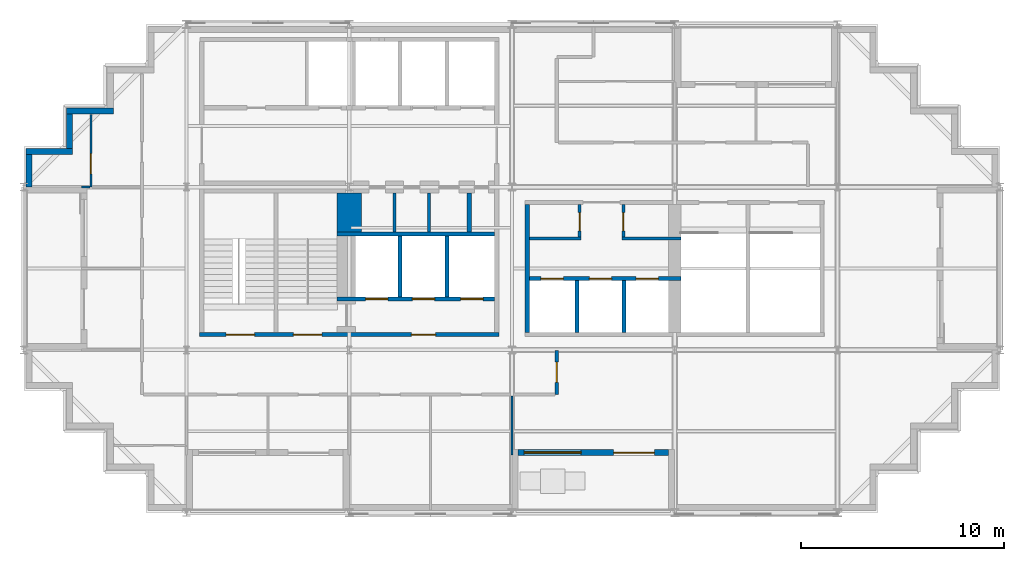
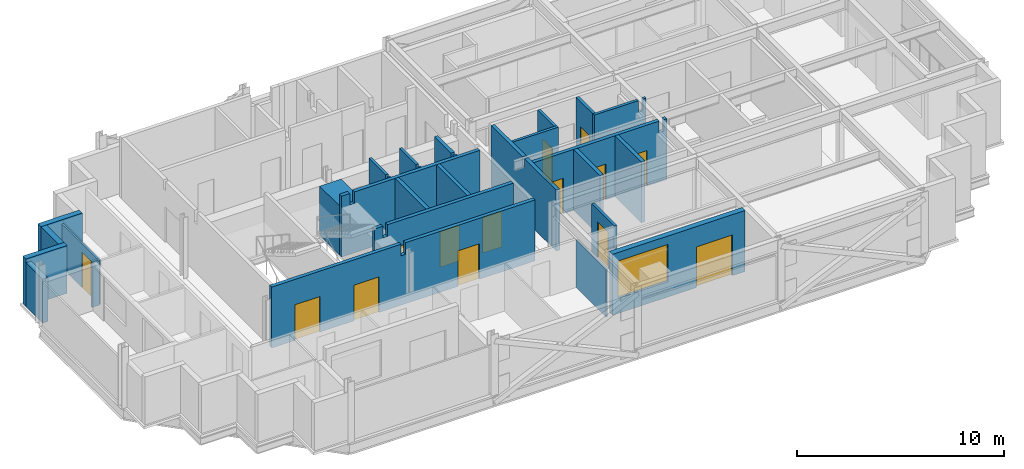
# One storey, part 5 of 10: 26 walls, 14 doors, 1 window, 15 openings.
"""IFC4 building model written with IfcOpenShell, lengths in metres."""

from ifc_helpers import new_model, si_unit, direction, frame, frame_2d, origin, place, context, subcontext, project, spatial, polyline, rectangle, outline, extrude, material, layer, layer_set, type_object, element, fill, save


model = new_model("IFC4")

# Units and contexts
model_context = context("Model", 3, precision=1e-05, world=origin(), true_north=direction((0.0, 1.0)))
body_context = subcontext(model_context, "Body", "Model", "MODEL_VIEW")
ifc_project = project(units=[si_unit("LENGTHUNIT", "METRE"), si_unit("AREAUNIT", "SQUARE_METRE"), si_unit("VOLUMEUNIT", "CUBIC_METRE"), si_unit("PLANEANGLEUNIT", "RADIAN"), si_unit("MASSUNIT", "GRAM", prefix="KILO")], contexts=[model_context])

# Site, building, storey
site_placement = place(None, origin())
site = spatial("IfcSite", under=ifc_project, at=site_placement, CompositionType="ELEMENT")
building_placement = place(site_placement, origin())
building = spatial("IfcBuilding", under=site, at=building_placement, Name="Immortelle Media Tower", CompositionType="ELEMENT")
storey_placement = place(building_placement, frame((0.0, 0.0, 295.0)))
storey = spatial("IfcBuildingStorey", under=building, at=storey_placement, Name="L65", CompositionType="ELEMENT", Elevation=295.0)

# Walls
ifc_material_1 = material(Name="Fire-rated gypsum board", Category="gypsum")
ifc_layer_1 = layer(ifc_material_1, 0.02490234375)
ifc_material_2 = material(Name="Steel ASTM A653 SS Gr 50 stud frame with mineral wool", Category="steel")
ifc_layer_2 = layer(ifc_material_2, 0.10009765625)
ifc_layer_3 = layer(ifc_material_1, 0.02490234375)
ifc_layer_set_1 = layer_set([ifc_layer_1, ifc_layer_2, ifc_layer_3], Name="Steel ASTM A653 SS Gr 50 stud frame with mineral wool")
wall_type_1 = type_object("IfcWallType", Name="Core partition 150", PredefinedType="PARTITIONING", material=ifc_layer_set_1)
for number, where, z_axis, x_axis, name in (
    (1, (18.22509765625, 13.800048828125, 0.0), (0.0, 0.0, 1.0), (0.0, 1.0, 0.0), "Core partition SW"),
    (2, (19.925048828125, 13.800048828125, 0.0), (0.0, 0.0, 1.0), (0.0, 1.0, 0.0), "Core partition SW"),
):
    element("IfcWall", number, at=place(storey_placement, frame(where, z_axis=z_axis, x_axis=x_axis)), inside=storey, type_object=wall_type_1, Name=name, PredefinedType="PARTITIONING", context=body_context, shape_type="SweptSolid", body=[
        extrude(outline(polyline([(0.0, 0.0), (1.89990234375, 0.0), (1.89990234375, 3.60009765625), (0.28857421875, 3.60009765625), (0.28759765625, 3.05810546875), (0.112548828125, 3.05810546875), (0.111572265625, 3.60009765625), (0.0, 3.60009765625), (0.0, 0.0)])), frame((0.0, 0.074951171875, 0.0), z_axis=(0.0, -1.0, 0.0), x_axis=(1.0, 0.0, 0.0)), (0.0, 0.0, 1.0), 0.14990234375),
    ])
wall_1_placement = place(storey_placement, frame((24.85009765625, 13.47509765625, 0.0), z_axis=(0.0, 0.0, 1.0), x_axis=(1.0, 0.0, 0.0)))
element("IfcWall", 3, at=wall_1_placement, inside=storey, type_object=wall_type_1, Name="Core partition SE", PredefinedType="PARTITIONING", context=body_context, shape_type="SweptSolid", body=[
    extrude(rectangle(XDim=2.5498046875, YDim=0.14990234375, at=frame_2d((1.27490234375, 0.0))), origin(), (0.0, 0.0, 1.0), 3.60009765625),
])

# Wall, opening, door
wall_2_placement = place(storey_placement, frame((27.324951171875, 13.550048828125, 0.0), z_axis=(0.0, 0.0, 1.0), x_axis=(0.0, 1.0, 0.0)))
wall_2 = element("IfcWall", 4, at=wall_2_placement, inside=storey, type_object=wall_type_1, Name="Core partition SE", PredefinedType="PARTITIONING", context=body_context, shape_type="SweptSolid", body=[
    extrude(rectangle(XDim=1.599853515625, YDim=0.14990234375, at=frame_2d((0.7998046875, 0.0))), origin(), (0.0, 0.0, 1.0), 3.60009765625),
])
opening_1_placement = place(wall_2_placement, frame((0.300048828125, 0.0, 0.0)))
opening_1 = element("IfcOpeningElement", 5, at=opening_1_placement, cuts=wall_2, Name="Opening X6-K021", PredefinedType="OPENING", context=body_context, shape_type="SweptSolid", body=[
    extrude(rectangle(XDim=0.89990234375, YDim=2.10009765625, at=frame_2d((0.449951171875, 1.050048828125))), frame((0.0, 0.0849609375, 0.0), z_axis=(0.0, -1.0, 0.0), x_axis=(1.0, 0.0, 0.0)), (0.0, 0.0, 1.0), 0.169921875),
])
ifc_material_3 = material(Name="Galvanised steel door leaf and frame ASTM A653", Category="steel")
door_type_1 = type_object("IfcDoorType", Name="Service door 900 x 2100", OperationType="NOTDEFINED", PredefinedType="NOTDEFINED", material=ifc_material_3)
door_1_placement = place(opening_1_placement, origin())
door_1 = element("IfcDoor", 6, at=door_1_placement, inside=storey, type_object=door_type_1, Name="Service X6-K021", OperationType="SINGLE_SWING_RIGHT", OverallHeight=2.10009765625, OverallWidth=0.89990234375, PredefinedType="NOTDEFINED", context=body_context, shape_type="SweptSolid", body=[
    extrude(rectangle(XDim=0.89990234375, YDim=2.10009765625, at=frame_2d((0.449951171875, 1.050048828125))), frame((0.0, 0.02490234375, 0.0), z_axis=(0.0, -1.0, 0.0), x_axis=(1.0, 0.0, 0.0)), (0.0, 0.0, 1.0), 0.050048828125),
])
fill(opening_1, door_1)

# Wall
wall_3_placement = place(storey_placement, frame((29.39990234375, 13.47509765625, 0.0), z_axis=(0.0, 0.0, 1.0), x_axis=(1.0, 0.0, 0.0)))
element("IfcWall", 7, at=wall_3_placement, inside=storey, type_object=wall_type_1, Name="Core partition SE", PredefinedType="PARTITIONING", context=body_context, shape_type="SweptSolid", body=[
    extrude(outline(polyline([(0.0, 0.0), (2.900146484375, 0.0), (2.89990234375, 3.60009765625), (2.7314453125, 3.60009765625), (2.73046875, 2.916015625), (2.469482421875, 2.916015625), (2.468505859375, 3.60009765625), (0.0, 3.60009765625), (0.0, 0.0)])), frame((0.0, 0.074951171875, 0.0), z_axis=(0.0, -1.0, 0.0), x_axis=(1.0, 0.0, 0.0)), (0.0, 0.0, 1.0), 0.14990234375),
])

# Wall, opening, door
wall_4_placement = place(storey_placement, frame((29.47509765625, 13.550048828125, 0.0), z_axis=(0.0, 0.0, 1.0), x_axis=(0.0, 1.0, 0.0)))
wall_4 = element("IfcWall", 8, at=wall_4_placement, inside=storey, type_object=wall_type_1, Name="Core partition SE", PredefinedType="PARTITIONING", context=body_context, shape_type="SweptSolid", body=[
    extrude(rectangle(XDim=1.599853515625, YDim=0.14990234375, at=frame_2d((0.7998046875, 0.0))), origin(), (0.0, 0.0, 1.0), 3.60009765625),
])
opening_2_placement = place(wall_4_placement, frame((1.199951171875, 0.0, 0.0), z_axis=(0.0, 0.0, 1.0), x_axis=(-1.0, 0.0, 0.0)))
opening_2 = element("IfcOpeningElement", 9, at=opening_2_placement, cuts=wall_4, Name="Opening X6-K030", PredefinedType="OPENING", context=body_context, shape_type="SweptSolid", body=[
    extrude(rectangle(XDim=0.89990234375, YDim=2.10009765625, at=frame_2d((0.449951171875, 1.050048828125))), frame((0.0, 0.0849609375, 0.0), z_axis=(0.0, -1.0, 0.0), x_axis=(1.0, 0.0, 0.0)), (0.0, 0.0, 1.0), 0.169921875),
])
ifc_material_4 = material(Name="Timber", Category="wood")
door_type_2 = type_object("IfcDoorType", Name="Room door 900 x 2100", OperationType="NOTDEFINED", PredefinedType="NOTDEFINED", material=ifc_material_4)
door_2_placement = place(opening_2_placement, origin())
door_2 = element("IfcDoor", 10, at=door_2_placement, inside=storey, type_object=door_type_2, Name="Room X6-K030", OperationType="SINGLE_SWING_RIGHT", OverallHeight=2.10009765625, OverallWidth=0.89990234375, PredefinedType="NOTDEFINED", context=body_context, shape_type="SweptSolid", body=[
    extrude(rectangle(XDim=0.89990234375, YDim=2.10009765625, at=frame_2d((0.449951171875, 1.050048828125))), frame((0.0, 0.02490234375, 0.0), z_axis=(0.0, -1.0, 0.0), x_axis=(1.0, 0.0, 0.0)), (0.0, 0.0, 1.0), 0.050048828125),
])
fill(opening_2, door_2)

# Wall, openings, doors
ifc_layer_4 = layer(ifc_material_1, 0.03759765625)
ifc_layer_5 = layer(ifc_material_2, 0.125)
ifc_layer_6 = layer(ifc_material_1, 0.03759765625)
ifc_layer_set_2 = layer_set([ifc_layer_4, ifc_layer_5, ifc_layer_6], Name="Steel ASTM A653 SS Gr 50 stud frame with mineral wool")
wall_type_2 = type_object("IfcWallType", Name="Core shaft wall 200", PredefinedType="PARTITIONING", material=ifc_layer_set_2)
wall_5_placement = place(storey_placement, frame((15.39990234375, 10.5, 0.0), z_axis=(0.0, 0.0, 1.0), x_axis=(1.0, 0.0, 0.0)))
wall_5 = element("IfcWall", 11, at=wall_5_placement, inside=storey, type_object=wall_type_2, Name="Core shaft wall SW", PredefinedType="PARTITIONING", context=body_context, shape_type="SweptSolid", body=[
    extrude(outline(polyline([(0.0, 0.0), (7.75, 0.0), (7.75, 3.60009765625), (0.7314453125, 3.60009765625), (0.73046875, 2.916015625), (0.469482421875, 2.916015625), (0.468505859375, 3.60009765625), (0.0, 3.60009765625), (0.0, 0.0)])), frame((0.0, 0.10009765625, 0.0), z_axis=(0.0, -1.0, 0.0), x_axis=(1.0, 0.0, 0.0)), (0.0, 0.0, 1.0), 0.199951171875),
])
opening_3_placement = place(wall_5_placement, frame((1.39990234375, 0.0, 0.0)))
opening_3 = element("IfcOpeningElement", 12, at=opening_3_placement, cuts=wall_5, Name="Opening LD", PredefinedType="OPENING", context=body_context, shape_type="SweptSolid", body=[
    extrude(rectangle(XDim=1.10009765625, YDim=2.10009765625, at=frame_2d((0.550048828125, 1.050048828125))), frame((0.0, 0.10986328125, 0.0), z_axis=(0.0, -1.0, 0.0), x_axis=(1.0, 0.0, 0.0)), (0.0, 0.0, 1.0), 0.219970703125),
])
opening_4_placement = place(wall_5_placement, frame((3.699951171875, 0.0, 0.0)))
opening_4 = element("IfcOpeningElement", 13, at=opening_4_placement, cuts=wall_5, Name="Opening LD", PredefinedType="OPENING", context=body_context, shape_type="SweptSolid", body=[
    extrude(rectangle(XDim=1.10009765625, YDim=2.10009765625, at=frame_2d((0.550048828125, 1.050048828125))), frame((0.0, 0.10986328125, 0.0), z_axis=(0.0, -1.0, 0.0), x_axis=(1.0, 0.0, 0.0)), (0.0, 0.0, 1.0), 0.219970703125),
])
opening_5_placement = place(wall_5_placement, frame((6.074951171875, 0.0, 0.0)))
opening_5 = element("IfcOpeningElement", 14, at=opening_5_placement, cuts=wall_5, Name="Opening LD", PredefinedType="OPENING", context=body_context, shape_type="SweptSolid", body=[
    extrude(rectangle(XDim=1.10009765625, YDim=2.10009765625, at=frame_2d((0.550048828125, 1.050048828125))), frame((0.0, 0.10986328125, 0.0), z_axis=(0.0, -1.0, 0.0), x_axis=(1.0, 0.0, 0.0)), (0.0, 0.0, 1.0), 0.219970703125),
])
ifc_material_5 = material(Name="Stainless steel AISI 304", Category="steel")
door_type_3 = type_object("IfcDoorType", Name="Landing door 1100 x 2100", OperationType="SLIDING_TO_LEFT", PredefinedType="NOTDEFINED", material=ifc_material_5)
door_3_placement = place(opening_3_placement, origin())
door_3 = element("IfcDoor", 15, at=door_3_placement, inside=storey, type_object=door_type_3, Name="Landing door FF1 L65", OperationType="SLIDING_TO_LEFT", OverallHeight=2.10009765625, OverallWidth=1.10009765625, PredefinedType="NOTDEFINED", context=body_context, shape_type="SweptSolid", body=[
    extrude(rectangle(XDim=1.10009765625, YDim=2.10009765625, at=frame_2d((0.550048828125, 1.050048828125))), frame((0.0, 0.02490234375, 0.0), z_axis=(0.0, -1.0, 0.0), x_axis=(1.0, 0.0, 0.0)), (0.0, 0.0, 1.0), 0.050048828125),
])
fill(opening_3, door_3)
door_4_placement = place(opening_4_placement, origin())
door_4 = element("IfcDoor", 16, at=door_4_placement, inside=storey, type_object=door_type_3, Name="Landing door FF2 L65", OperationType="SLIDING_TO_LEFT", OverallHeight=2.10009765625, OverallWidth=1.10009765625, PredefinedType="NOTDEFINED", context=body_context, shape_type="SweptSolid", body=[
    extrude(rectangle(XDim=1.10009765625, YDim=2.10009765625, at=frame_2d((0.550048828125, 1.050048828125))), frame((0.0, 0.02490234375, 0.0), z_axis=(0.0, -1.0, 0.0), x_axis=(1.0, 0.0, 0.0)), (0.0, 0.0, 1.0), 0.050048828125),
])
fill(opening_4, door_4)
door_5_placement = place(opening_5_placement, origin())
door_5 = element("IfcDoor", 17, at=door_5_placement, inside=storey, type_object=door_type_3, Name="Landing door FF3 L65", OperationType="SLIDING_TO_LEFT", OverallHeight=2.10009765625, OverallWidth=1.10009765625, PredefinedType="NOTDEFINED", context=body_context, shape_type="SweptSolid", body=[
    extrude(rectangle(XDim=1.10009765625, YDim=2.10009765625, at=frame_2d((0.550048828125, 1.050048828125))), frame((0.0, 0.02490234375, 0.0), z_axis=(0.0, -1.0, 0.0), x_axis=(1.0, 0.0, 0.0)), (0.0, 0.0, 1.0), 0.050048828125),
])
fill(opening_5, door_5)

# Walls
wall_6_placement = place(storey_placement, frame((15.39990234375, 13.699951171875, 0.0), z_axis=(0.0, 0.0, 1.0), x_axis=(1.0, 0.0, 0.0)))
element("IfcWall", 18, at=wall_6_placement, inside=storey, type_object=wall_type_2, Name="Core shaft wall SW", PredefinedType="PARTITIONING", context=body_context, shape_type="SweptSolid", body=[
    extrude(outline(polyline([(0.0, 0.0), (7.75, 0.0), (7.75, 3.60009765625), (0.7314453125, 3.60009765625), (0.73046875, 2.916015625), (0.469482421875, 2.916015625), (0.468505859375, 3.60009765625), (0.0, 3.60009765625), (0.0, 0.0)])), frame((0.0, 0.10009765625, 0.0), z_axis=(0.0, -1.0, 0.0), x_axis=(1.0, 0.0, 0.0)), (0.0, 0.0, 1.0), 0.199951171875),
])
for number, where, z_axis, x_axis, name in (
    (19, (18.5, 10.60009765625, 0.0), (0.0, 0.0, 1.0), (0.0, 1.0, 0.0), "Core shaft wall SW"),
    (20, (20.800048828125, 10.60009765625, 0.0), (0.0, 0.0, 1.0), (0.0, 1.0, 0.0), "Core shaft wall SW"),
):
    element("IfcWall", number, at=place(storey_placement, frame(where, z_axis=z_axis, x_axis=x_axis)), inside=storey, type_object=wall_type_2, Name=name, PredefinedType="PARTITIONING", context=body_context, shape_type="SweptSolid", body=[
        extrude(rectangle(XDim=3.0, YDim=0.199951171875, at=frame_2d((1.5, 0.0))), origin(), (0.0, 0.0, 1.0), 3.60009765625),
    ])
wall_7_placement = place(storey_placement, frame((21.89990234375, 13.800048828125, 0.0), z_axis=(0.0, 0.0, 1.0), x_axis=(0.0, 1.0, 0.0)))
element("IfcWall", 21, at=wall_7_placement, inside=storey, type_object=wall_type_2, Name="Core shaft wall SW", PredefinedType="PARTITIONING", context=body_context, shape_type="SweptSolid", body=[
    extrude(outline(polyline([(0.0, 0.0), (1.89990234375, 0.0), (1.89990234375, 3.60009765625), (0.28857421875, 3.60009765625), (0.28759765625, 3.05810546875), (0.112548828125, 3.05810546875), (0.111572265625, 3.60009765625), (0.0, 3.60009765625), (0.0, 0.0)])), frame((0.0, 0.10009765625, 0.0), z_axis=(0.0, -1.0, 0.0), x_axis=(1.0, 0.0, 0.0)), (0.0, 0.0, 1.0), 0.199951171875),
])
wall_8_placement = place(storey_placement, frame((24.75, 8.85009765625, 0.0), z_axis=(0.0, 0.0, 1.0), x_axis=(0.0, 1.0, 0.0)))
element("IfcWall", 22, at=wall_8_placement, inside=storey, type_object=wall_type_2, Name="Core shaft wall SE", PredefinedType="PARTITIONING", context=body_context, shape_type="SweptSolid", body=[
    extrude(outline(polyline([(0.0, 0.0), (6.2998046875, 0.0), (6.300048828125, 3.60009765625), (3.238525390625, 3.60009765625), (3.237548828125, 3.05810546875), (3.0625, 3.05810546875), (3.0615234375, 3.60009765625), (0.0, 3.60009765625), (0.0, 0.0)])), frame((0.0, 0.10009765625, 0.0), z_axis=(0.0, -1.0, 0.0), x_axis=(1.0, 0.0, 0.0)), (0.0, 0.0, 1.0), 0.199951171875),
])

# Wall, openings, doors
wall_9_placement = place(storey_placement, frame((24.85009765625, 11.5, 0.0), z_axis=(0.0, 0.0, 1.0), x_axis=(1.0, 0.0, 0.0)))
wall_9 = element("IfcWall", 23, at=wall_9_placement, inside=storey, type_object=wall_type_2, Name="Core shaft wall SE", PredefinedType="PARTITIONING", context=body_context, shape_type="SweptSolid", body=[
    extrude(outline(polyline([(0.0, 0.0), (7.449951171875, 0.0), (7.449951171875, 3.60009765625), (7.281494140625, 3.60009765625), (7.280517578125, 2.916015625), (7.01953125, 2.916015625), (7.0185546875, 3.60009765625), (0.0, 3.60009765625), (0.0, 0.0)])), frame((0.0, 0.10009765625, 0.0), z_axis=(0.0, -1.0, 0.0), x_axis=(1.0, 0.0, 0.0)), (0.0, 0.0, 1.0), 0.199951171875),
])
opening_6_placement = place(wall_9_placement, frame((0.574951171875, 0.0, 0.0)))
opening_6 = element("IfcOpeningElement", 24, at=opening_6_placement, cuts=wall_9, Name="Opening LD", PredefinedType="OPENING", context=body_context, shape_type="SweptSolid", body=[
    extrude(rectangle(XDim=1.10009765625, YDim=2.10009765625, at=frame_2d((0.550048828125, 1.050048828125))), frame((0.0, 0.10986328125, 0.0), z_axis=(0.0, -1.0, 0.0), x_axis=(1.0, 0.0, 0.0)), (0.0, 0.0, 1.0), 0.219970703125),
])
opening_7_placement = place(wall_9_placement, frame((2.949951171875, 0.0, 0.0)))
opening_7 = element("IfcOpeningElement", 25, at=opening_7_placement, cuts=wall_9, Name="Opening LD", PredefinedType="OPENING", context=body_context, shape_type="SweptSolid", body=[
    extrude(rectangle(XDim=1.10009765625, YDim=2.10009765625, at=frame_2d((0.550048828125, 1.050048828125))), frame((0.0, 0.10986328125, 0.0), z_axis=(0.0, -1.0, 0.0), x_axis=(1.0, 0.0, 0.0)), (0.0, 0.0, 1.0), 0.219970703125),
])
opening_8_placement = place(wall_9_placement, frame((5.25, 0.0, 0.0)))
opening_8 = element("IfcOpeningElement", 26, at=opening_8_placement, cuts=wall_9, Name="Opening LD", PredefinedType="OPENING", context=body_context, shape_type="SweptSolid", body=[
    extrude(rectangle(XDim=1.10009765625, YDim=2.10009765625, at=frame_2d((0.550048828125, 1.050048828125))), frame((0.0, 0.10986328125, 0.0), z_axis=(0.0, -1.0, 0.0), x_axis=(1.0, 0.0, 0.0)), (0.0, 0.0, 1.0), 0.219970703125),
])
door_6_placement = place(opening_6_placement, origin())
door_6 = element("IfcDoor", 27, at=door_6_placement, inside=storey, type_object=door_type_3, Name="Landing door HS1 L65", OperationType="SLIDING_TO_LEFT", OverallHeight=2.10009765625, OverallWidth=1.10009765625, PredefinedType="NOTDEFINED", context=body_context, shape_type="SweptSolid", body=[
    extrude(rectangle(XDim=1.10009765625, YDim=2.10009765625, at=frame_2d((0.550048828125, 1.050048828125))), frame((0.0, 0.02490234375, 0.0), z_axis=(0.0, -1.0, 0.0), x_axis=(1.0, 0.0, 0.0)), (0.0, 0.0, 1.0), 0.050048828125),
])
fill(opening_6, door_6)
door_7_placement = place(opening_7_placement, origin())
door_7 = element("IfcDoor", 28, at=door_7_placement, inside=storey, type_object=door_type_3, Name="Landing door HS2 L65", OperationType="SLIDING_TO_LEFT", OverallHeight=2.10009765625, OverallWidth=1.10009765625, PredefinedType="NOTDEFINED", context=body_context, shape_type="SweptSolid", body=[
    extrude(rectangle(XDim=1.10009765625, YDim=2.10009765625, at=frame_2d((0.550048828125, 1.050048828125))), frame((0.0, 0.02490234375, 0.0), z_axis=(0.0, -1.0, 0.0), x_axis=(1.0, 0.0, 0.0)), (0.0, 0.0, 1.0), 0.050048828125),
])
fill(opening_7, door_7)
door_8_placement = place(opening_8_placement, origin())
door_8 = element("IfcDoor", 29, at=door_8_placement, inside=storey, type_object=door_type_3, Name="Landing door HS3 L65", OperationType="SLIDING_TO_LEFT", OverallHeight=2.10009765625, OverallWidth=1.10009765625, PredefinedType="NOTDEFINED", context=body_context, shape_type="SweptSolid", body=[
    extrude(rectangle(XDim=1.10009765625, YDim=2.10009765625, at=frame_2d((0.550048828125, 1.050048828125))), frame((0.0, 0.02490234375, 0.0), z_axis=(0.0, -1.0, 0.0), x_axis=(1.0, 0.0, 0.0)), (0.0, 0.0, 1.0), 0.050048828125),
])
fill(opening_8, door_8)

# Walls
for number, where, z_axis, x_axis, name in (
    (30, (27.199951171875, 8.85009765625, 0.0), (0.0, 0.0, 1.0), (0.0, 1.0, 0.0), "Core shaft wall SE"),
    (31, (29.5, 8.85009765625, 0.0), (0.0, 0.0, 1.0), (0.0, 1.0, 0.0), "Core shaft wall SE"),
):
    element("IfcWall", number, at=place(storey_placement, frame(where, z_axis=z_axis, x_axis=x_axis)), inside=storey, type_object=wall_type_2, Name=name, PredefinedType="PARTITIONING", context=body_context, shape_type="SweptSolid", body=[
        extrude(rectangle(XDim=2.5498046875, YDim=0.199951171875, at=frame_2d((1.27490234375, 0.0))), origin(), (0.0, 0.0, 1.0), 3.60009765625),
    ])

# Wall, opening, door
ifc_layer_7 = layer(ifc_material_1, 0.012451171875)
ifc_layer_8 = layer(ifc_material_2, 0.125)
ifc_layer_9 = layer(ifc_material_1, 0.012451171875)
ifc_layer_set_3 = layer_set([ifc_layer_7, ifc_layer_8, ifc_layer_9], Name="Steel ASTM A653 SS Gr 50 stud frame with mineral wool")
wall_type_3 = type_object("IfcWallType", Name="Corridor wall 150", PredefinedType="PARTITIONING", material=ifc_layer_set_3)
wall_10_placement = place(storey_placement, frame((26.199951171875, 5.800048828125, 0.0), z_axis=(0.0, 0.0, 1.0), x_axis=(0.0, 1.0, 0.0)))
wall_10 = element("IfcWall", 32, at=wall_10_placement, inside=storey, type_object=wall_type_3, Name="Partition L65-010", PredefinedType="PARTITIONING", context=body_context, shape_type="SweptSolid", body=[
    extrude(rectangle(XDim=2.169921875, YDim=0.14990234375, at=frame_2d((1.0849609375, 0.0))), origin(), (0.0, 0.0, 1.0), 2.81396484375),
])
opening_9_placement = place(wall_10_placement, frame((1.60009765625, 0.0, 0.0), z_axis=(0.0, 0.0, 1.0), x_axis=(-1.0, 0.0, 0.0)))
opening_9 = element("IfcOpeningElement", 33, at=opening_9_placement, cuts=wall_10, Name="Opening X6-F007", PredefinedType="OPENING", context=body_context, shape_type="SweptSolid", body=[
    extrude(rectangle(XDim=1.0, YDim=2.10009765625, at=frame_2d((0.5, 1.050048828125))), frame((0.0, 0.0849609375, 0.0), z_axis=(0.0, -1.0, 0.0), x_axis=(1.0, 0.0, 0.0)), (0.0, 0.0, 1.0), 0.169921875),
])
ifc_material_6 = material(Name="Timber veneered door leaf, galvanised steel frame ASTM A653", Category="steel")
door_type_4 = type_object("IfcDoorType", Name="Room door 1000 x 2100", OperationType="NOTDEFINED", PredefinedType="DOOR", material=ifc_material_6)
door_9_placement = place(opening_9_placement, origin())
door_9 = element("IfcDoor", 34, at=door_9_placement, inside=storey, type_object=door_type_4, Name="Door X6-F007", OperationType="SINGLE_SWING_LEFT", OverallHeight=2.10009765625, OverallWidth=1.0, PredefinedType="DOOR", context=body_context, shape_type="SweptSolid", body=[
    extrude(rectangle(XDim=1.0, YDim=2.10009765625, at=frame_2d((0.5, 1.050048828125))), frame((0.0, 0.02490234375, 0.0), z_axis=(0.0, -1.0, 0.0), x_axis=(1.0, 0.0, 0.0)), (0.0, 0.0, 1.0), 0.050048828125),
])
fill(opening_9, door_9)

# Wall, openings, door, window
ifc_material_7 = material(Name="Pale aluminium cladding panel", Category="aluminium")
ifc_layer_10 = layer(ifc_material_7, 0.030029296875)
ifc_layer_11 = layer(ifc_material_2, 0.257568359375)
ifc_material_8 = material(Name="Moisture-resistant gypsum board", Category="gypsum")
ifc_layer_12 = layer(ifc_material_8, 0.012451171875)
ifc_layer_set_4 = layer_set([ifc_layer_10, ifc_layer_11, ifc_layer_12], Name="Steel ASTM A653 SS Gr 50 stud frame with mineral wool")
wall_type_4 = type_object("IfcWallType", Name="Facade wall 300", PredefinedType="SOLIDWALL", material=ifc_layer_set_4)
wall_11_placement = place(storey_placement, frame((24.300048828125, 2.949951171875, 0.0), z_axis=(0.0, 0.0, 1.0), x_axis=(1.0, 0.0, 0.0)))
wall_11 = element("IfcWall", 35, at=wall_11_placement, inside=storey, type_object=wall_type_4, Name="Loggia wall L65 S6", PredefinedType="SOLIDWALL", context=body_context, shape_type="SweptSolid", body=[
    extrude(rectangle(XDim=7.39990234375, YDim=0.300048828125, at=frame_2d((3.699951171875, 0.0))), origin(), (0.0, 0.0, 1.0), 3.60009765625),
])
opening_10_placement = place(wall_11_placement, frame((0.300048828125, 0.0, 0.89990234375)))
opening_10 = element("IfcOpeningElement", 36, at=opening_10_placement, cuts=wall_11, Name="Opening W1", PredefinedType="OPENING", context=body_context, shape_type="SweptSolid", body=[
    extrude(rectangle(XDim=2.800048828125, YDim=2.199951171875, at=frame_2d((1.39990234375, 1.10009765625))), frame((0.0, 0.159912109375, 0.0), z_axis=(0.0, -1.0, 0.0), x_axis=(1.0, 0.0, 0.0)), (0.0, 0.0, 1.0), 0.320068359375),
])
opening_11_placement = place(wall_11_placement, frame((4.699951171875, 0.0, 0.0)))
opening_11 = element("IfcOpeningElement", 37, at=opening_11_placement, cuts=wall_11, Name="Opening X6-E002", PredefinedType="OPENING", context=body_context, shape_type="SweptSolid", body=[
    extrude(rectangle(XDim=2.0, YDim=2.39990234375, at=frame_2d((1.0, 1.199951171875))), frame((0.0, 0.159912109375, 0.0), z_axis=(0.0, -1.0, 0.0), x_axis=(1.0, 0.0, 0.0)), (0.0, 0.0, 1.0), 0.320068359375),
])
ifc_material_9 = material(Name="Aluminium frame, glazed leaves", Category="aluminium")
door_type_5 = type_object("IfcDoorType", Name="Loggia door 2000 x 2400", OperationType="DOUBLE_DOOR_SINGLE_SWING", PredefinedType="DOOR", material=ifc_material_9)
door_10_placement = place(opening_11_placement, origin())
door_10 = element("IfcDoor", 38, at=door_10_placement, inside=storey, type_object=door_type_5, Name="Door X6-E002", OperationType="DOUBLE_DOOR_SINGLE_SWING", OverallHeight=2.39990234375, OverallWidth=2.0, PredefinedType="DOOR", context=body_context, shape_type="SweptSolid", body=[
    extrude(rectangle(XDim=2.0, YDim=2.39990234375, at=frame_2d((1.0, 1.199951171875))), frame((0.0, 0.02490234375, 0.0), z_axis=(0.0, -1.0, 0.0), x_axis=(1.0, 0.0, 0.0)), (0.0, 0.0, 1.0), 0.050048828125),
])
fill(opening_11, door_10)
ifc_material_10 = material(Name="Aluminium frame", Category="aluminium")
window_type = type_object("IfcWindowType", Name="Window 2800 x 2200", PartitioningType="SINGLE_PANEL", PredefinedType="WINDOW", material=ifc_material_10)
window_placement = place(opening_10_placement, origin())
window = element("IfcWindow", 39, at=window_placement, inside=storey, type_object=window_type, Name="Window L65 L65-R6-B2", OverallHeight=2.199951171875, OverallWidth=2.800048828125, PartitioningType="SINGLE_PANEL", PredefinedType="WINDOW", context=body_context, shape_type="SweptSolid", body=[
    extrude(rectangle(XDim=2.800048828125, YDim=2.199951171875, at=frame_2d((1.39990234375, 1.10009765625))), frame((0.0, 0.030029296875, 0.0), z_axis=(0.0, -1.0, 0.0), x_axis=(1.0, 0.0, 0.0)), (0.0, 0.0, 1.0), 0.06005859375),
])
fill(opening_10, window)

# Walls
wall_12_placement = place(storey_placement, frame((4.39990234375, 19.75, 0.0), z_axis=(0.0, 0.0, 1.0), x_axis=(-1.0, 0.0, 0.0)))
element("IfcWall", 40, at=wall_12_placement, inside=storey, type_object=wall_type_4, Name="Facade wall L65 N24", PredefinedType="SOLIDWALL", context=body_context, shape_type="SweptSolid", body=[
    extrude(rectangle(XDim=2.2998046875, YDim=0.300048828125, at=frame_2d((1.14990234375, 0.0))), origin(), (0.0, 0.0, 1.0), 2.819091796875),
])
wall_13_placement = place(storey_placement, frame((2.25, 19.60009765625, 0.0), z_axis=(0.0, 0.0, 1.0), x_axis=(0.0, -1.0, 0.0)))
element("IfcWall", 41, at=wall_13_placement, inside=storey, type_object=wall_type_4, Name="Facade wall L65 W25", PredefinedType="SOLIDWALL", context=body_context, shape_type="SweptSolid", body=[
    extrude(rectangle(XDim=1.7001953125, YDim=0.300048828125, at=frame_2d((0.85009765625, 0.0))), origin(), (0.0, 0.0, 1.0), 2.819091796875),
])
wall_14_placement = place(storey_placement, frame((2.39990234375, 17.75, 0.0), z_axis=(0.0, 0.0, 1.0), x_axis=(-1.0, 0.0, 0.0)))
element("IfcWall", 42, at=wall_14_placement, inside=storey, type_object=wall_type_4, Name="Facade wall L65 N26", PredefinedType="SOLIDWALL", context=body_context, shape_type="SweptSolid", body=[
    extrude(rectangle(XDim=2.2998046875, YDim=0.300048828125, at=frame_2d((1.14990234375, 0.0))), origin(), (0.0, 0.0, 1.0), 2.819091796875),
])
wall_15_placement = place(storey_placement, frame((0.25, 17.60009765625, 0.0), z_axis=(0.0, 0.0, 1.0), x_axis=(0.0, -1.0, 0.0)))
element("IfcWall", 43, at=wall_15_placement, inside=storey, type_object=wall_type_4, Name="Facade wall L65 W27", PredefinedType="SOLIDWALL", context=body_context, shape_type="SweptSolid", body=[
    extrude(rectangle(XDim=1.60009765625, YDim=0.300048828125, at=frame_2d((0.800048828125, 0.0))), origin(), (0.0, 0.0, 1.0), 2.59912109375),
])
ifc_material_11 = material(Name="Gypsum board", Category="gypsum")
ifc_layer_13 = layer(ifc_material_11, 0.012451171875)
ifc_layer_14 = layer(ifc_material_2, 0.074951171875)
ifc_layer_15 = layer(ifc_material_11, 0.012451171875)
ifc_layer_set_5 = layer_set([ifc_layer_13, ifc_layer_14, ifc_layer_15], Name="Steel ASTM A653 SS Gr 50 stud frame with mineral wool")
wall_type_5 = type_object("IfcWallType", Name="Partition 100", PredefinedType="PARTITIONING", material=ifc_layer_set_5)
wall_16_placement = place(storey_placement, frame((24.0, 2.830078125, 0.0), z_axis=(0.0, 0.0, 1.0), x_axis=(0.0, 1.0, 0.0)))
element("IfcWall", 44, at=wall_16_placement, inside=storey, type_object=wall_type_5, Name="Partition L65-005", PredefinedType="PARTITIONING", context=body_context, shape_type="SweptSolid", body=[
    extrude(rectangle(XDim=2.89501953125, YDim=0.10009765625, at=frame_2d((1.447509765625, 0.0))), origin(), (0.0, 0.0, 1.0), 2.81396484375),
])
wall_17_placement = place(storey_placement, frame((2.830078125, 16.0, 0.0), z_axis=(0.0, 0.0, 1.0), x_axis=(1.0, 0.0, 0.0)))
element("IfcWall", 45, at=wall_17_placement, inside=storey, type_object=wall_type_5, Name="Partition L65-013", PredefinedType="PARTITIONING", context=body_context, shape_type="SweptSolid", body=[
    extrude(rectangle(XDim=0.419921875, YDim=0.10009765625, at=frame_2d((0.2099609375, 0.0))), origin(), (0.0, 0.0, 1.0), 2.593994140625),
])

# Wall, opening, door
wall_18_placement = place(storey_placement, frame((3.300048828125, 16.0, 0.0), z_axis=(0.0, 0.0, 1.0), x_axis=(0.0, 1.0, 0.0)))
wall_18 = element("IfcWall", 46, at=wall_18_placement, inside=storey, type_object=wall_type_5, Name="Partition L65-015", PredefinedType="PARTITIONING", context=body_context, shape_type="SweptSolid", body=[
    extrude(rectangle(XDim=3.570068359375, YDim=0.10009765625, at=frame_2d((1.78515625, 0.0))), origin(), (0.0, 0.0, 1.0), 2.593994140625),
])
opening_12_placement = place(wall_18_placement, frame((1.64990234375, 0.0, 0.0), z_axis=(0.0, 0.0, 1.0), x_axis=(-1.0, 0.0, 0.0)))
opening_12 = element("IfcOpeningElement", 47, at=opening_12_placement, cuts=wall_18, Name="Opening X6-F011", PredefinedType="OPENING", context=body_context, shape_type="SweptSolid", body=[
    extrude(rectangle(XDim=1.0, YDim=2.10009765625, at=frame_2d((0.5, 1.050048828125))), frame((0.0, 0.06005859375, 0.0), z_axis=(0.0, -1.0, 0.0), x_axis=(1.0, 0.0, 0.0)), (0.0, 0.0, 1.0), 0.1201171875),
])
door_11_placement = place(opening_12_placement, origin())
door_11 = element("IfcDoor", 48, at=door_11_placement, inside=storey, type_object=door_type_4, Name="Door X6-F011", OperationType="SINGLE_SWING_RIGHT", OverallHeight=2.10009765625, OverallWidth=1.0, PredefinedType="DOOR", context=body_context, shape_type="SweptSolid", body=[
    extrude(rectangle(XDim=1.0, YDim=2.10009765625, at=frame_2d((0.5, 1.050048828125))), frame((0.0, 0.02490234375, 0.0), z_axis=(0.0, -1.0, 0.0), x_axis=(1.0, 0.0, 0.0)), (0.0, 0.0, 1.0), 0.050048828125),
])
fill(opening_12, door_11)

# Wall
ifc_material_12 = material(Name="Concrete C60", Category="concrete")
ifc_layer_16 = layer(ifc_material_12, 1.199951171875)
ifc_layer_set_6 = layer_set([ifc_layer_16], Name="Concrete C60")
wall_type_6 = type_object("IfcWallType", Name="Stair shaft wall 1200", PredefinedType="PARTITIONING", material=ifc_layer_set_6)
wall_19_placement = place(storey_placement, frame((16.0, 13.800048828125, 0.0), z_axis=(0.0, 0.0, 1.0), x_axis=(0.0, 1.0, 0.0)))
element("IfcWall", 49, at=wall_19_placement, inside=storey, type_object=wall_type_6, Name="Stair shaft wall SW", PredefinedType="PARTITIONING", context=body_context, shape_type="SweptSolid", body=[
    extrude(rectangle(XDim=1.89990234375, YDim=1.199951171875, at=frame_2d((0.949951171875, 0.0))), origin(), (0.0, 0.0, 1.0), 2.916015625),
])

# Wall, openings, doors
ifc_layer_17 = layer(ifc_material_12, 0.199951171875)
ifc_layer_set_7 = layer_set([ifc_layer_17], Name="Concrete C60")
wall_type_7 = type_object("IfcWallType", Name="Stair shaft wall 200", PredefinedType="PARTITIONING", material=ifc_layer_set_7)
wall_20_placement = place(storey_placement, frame((8.64990234375, 8.75, 0.0), z_axis=(0.0, 0.0, 1.0), x_axis=(1.0, 0.0, 0.0)))
wall_20 = element("IfcWall", 50, at=wall_20_placement, inside=storey, type_object=wall_type_7, Name="Stair shaft wall SW", PredefinedType="PARTITIONING", context=body_context, shape_type="SweptSolid", body=[
    extrude(outline(polyline([(0.0, 0.0), (14.7001953125, 0.0), (14.699951171875, 3.60009765625), (7.4814453125, 3.60009765625), (7.48046875, 2.916015625), (7.219482421875, 2.916015625), (7.218505859375, 3.60009765625), (0.0, 3.60009765625), (0.0, 0.0)])), frame((0.0, 0.10009765625, 0.0), z_axis=(0.0, -1.0, 0.0), x_axis=(1.0, 0.0, 0.0)), (0.0, 0.0, 1.0), 0.199951171875),
])
opening_13_placement = place(wall_20_placement, frame((1.300048828125, 0.0, 0.0)))
opening_13 = element("IfcOpeningElement", 51, at=opening_13_placement, cuts=wall_20, Name="Opening X6-K002", PredefinedType="OPENING", context=body_context, shape_type="SweptSolid", body=[
    extrude(rectangle(XDim=1.39990234375, YDim=2.10009765625, at=frame_2d((0.699951171875, 1.050048828125))), frame((0.0, 0.10986328125, 0.0), z_axis=(0.0, -1.0, 0.0), x_axis=(1.0, 0.0, 0.0)), (0.0, 0.0, 1.0), 0.219970703125),
])
opening_14_placement = place(wall_20_placement, frame((4.60009765625, 0.0, 0.0)))
opening_14 = element("IfcOpeningElement", 52, at=opening_14_placement, cuts=wall_20, Name="Opening X6-K005", PredefinedType="OPENING", context=body_context, shape_type="SweptSolid", body=[
    extrude(rectangle(XDim=1.39990234375, YDim=2.10009765625, at=frame_2d((0.699951171875, 1.050048828125))), frame((0.0, 0.10986328125, 0.0), z_axis=(0.0, -1.0, 0.0), x_axis=(1.0, 0.0, 0.0)), (0.0, 0.0, 1.0), 0.219970703125),
])
opening_15_placement = place(wall_20_placement, frame((10.39990234375, 0.0, 0.0)))
opening_15 = element("IfcOpeningElement", 53, at=opening_15_placement, cuts=wall_20, Name="Opening X6-K012", PredefinedType="OPENING", context=body_context, shape_type="SweptSolid", body=[
    extrude(rectangle(XDim=1.199951171875, YDim=2.10009765625, at=frame_2d((0.60009765625, 1.050048828125))), frame((0.0, 0.10986328125, 0.0), z_axis=(0.0, -1.0, 0.0), x_axis=(1.0, 0.0, 0.0)), (0.0, 0.0, 1.0), 0.219970703125),
])
door_type_6 = type_object("IfcDoorType", Name="Fire-fighting lobby door 1200 x 2100", OperationType="NOTDEFINED", PredefinedType="NOTDEFINED", material=ifc_material_3)
door_12_placement = place(opening_15_placement, origin())
door_12 = element("IfcDoor", 54, at=door_12_placement, inside=storey, type_object=door_type_6, Name="Fire-fighting lobby X6-K012", OperationType="SINGLE_SWING_LEFT", OverallHeight=2.10009765625, OverallWidth=1.199951171875, PredefinedType="NOTDEFINED", context=body_context, shape_type="SweptSolid", body=[
    extrude(rectangle(XDim=1.199951171875, YDim=2.10009765625, at=frame_2d((0.60009765625, 1.050048828125))), frame((0.0, 0.02490234375, 0.0), z_axis=(0.0, -1.0, 0.0), x_axis=(1.0, 0.0, 0.0)), (0.0, 0.0, 1.0), 0.050048828125),
])
fill(opening_15, door_12)
door_type_7 = type_object("IfcDoorType", Name="Stair door 1400 x 2100", OperationType="DOUBLE_DOOR_SINGLE_SWING", PredefinedType="NOTDEFINED", material=ifc_material_3)
door_13_placement = place(opening_13_placement, origin())
door_13 = element("IfcDoor", 55, at=door_13_placement, inside=storey, type_object=door_type_7, Name="Stair X6-K002", OperationType="DOUBLE_DOOR_SINGLE_SWING", OverallHeight=2.10009765625, OverallWidth=1.39990234375, PredefinedType="NOTDEFINED", context=body_context, shape_type="SweptSolid", body=[
    extrude(rectangle(XDim=1.39990234375, YDim=2.10009765625, at=frame_2d((0.699951171875, 1.050048828125))), frame((0.0, 0.02490234375, 0.0), z_axis=(0.0, -1.0, 0.0), x_axis=(1.0, 0.0, 0.0)), (0.0, 0.0, 1.0), 0.050048828125),
])
fill(opening_13, door_13)
door_14_placement = place(opening_14_placement, origin())
door_14 = element("IfcDoor", 56, at=door_14_placement, inside=storey, type_object=door_type_7, Name="Stair X6-K005", OperationType="DOUBLE_DOOR_SINGLE_SWING", OverallHeight=2.10009765625, OverallWidth=1.39990234375, PredefinedType="NOTDEFINED", context=body_context, shape_type="SweptSolid", body=[
    extrude(rectangle(XDim=1.39990234375, YDim=2.10009765625, at=frame_2d((0.699951171875, 1.050048828125))), frame((0.0, 0.02490234375, 0.0), z_axis=(0.0, -1.0, 0.0), x_axis=(1.0, 0.0, 0.0)), (0.0, 0.0, 1.0), 0.050048828125),
])
fill(opening_14, door_14)

save(model, "model.ifc")
